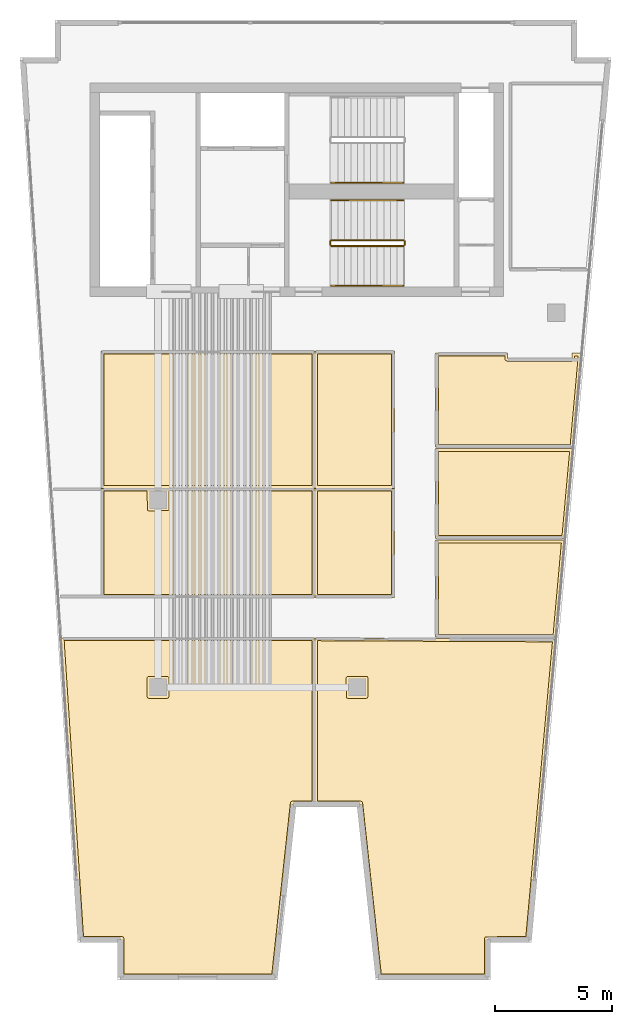
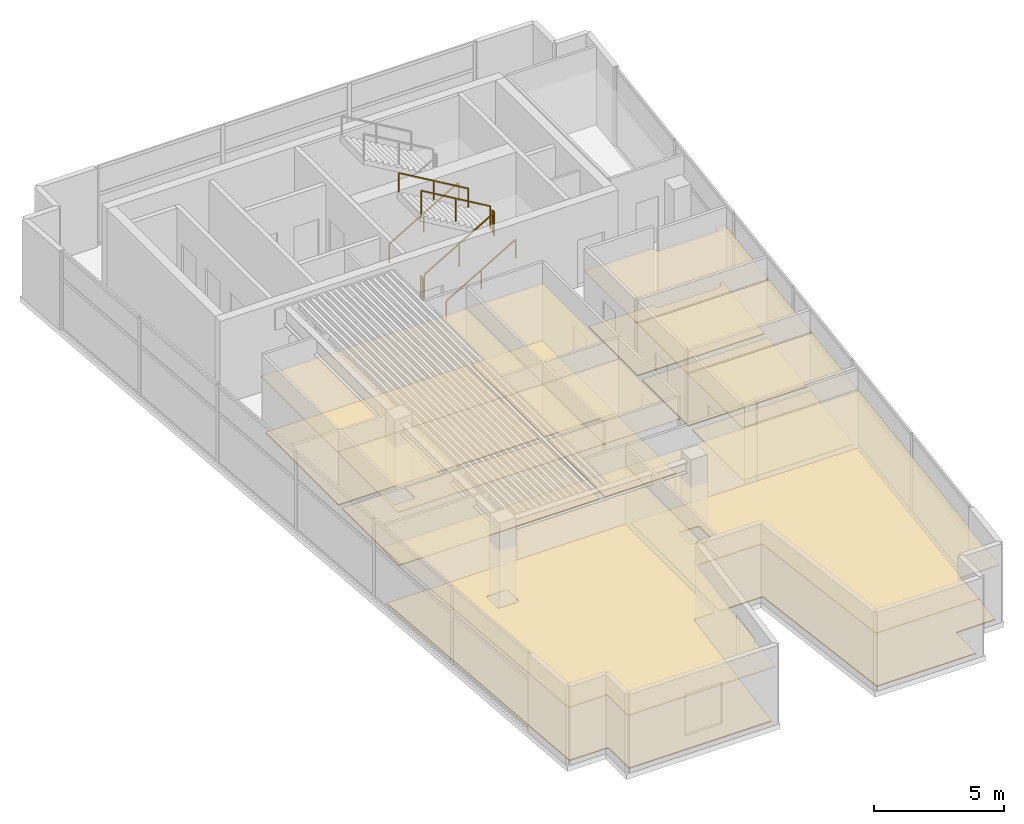
# One storey, part 6 of 7: 18 coverings, 7 railings.
"""IFC4 building model written with IfcOpenShell, lengths in metres."""

from ifc_helpers import new_model, si_unit, direction, frame, origin, origin_2d, place, context, subcontext, project, spatial, polyline, rectangle, outline, extrude, material, layer, layer_set, type_object, element, save


model = new_model("IFC4")

# Units and contexts
model_context = context("Model", 3, precision=1e-05, world=origin(), true_north=direction((0.0, 1.0)))
body_context = subcontext(model_context, "Body", "Model", "MODEL_VIEW")
ifc_project = project(units=[si_unit("LENGTHUNIT", "METRE"), si_unit("AREAUNIT", "SQUARE_METRE"), si_unit("VOLUMEUNIT", "CUBIC_METRE"), si_unit("PLANEANGLEUNIT", "RADIAN"), si_unit("MASSUNIT", "GRAM", prefix="KILO")], contexts=[model_context])

# Site, building, storey
site_placement = place(None, origin())
site = spatial("IfcSite", under=ifc_project, at=site_placement, CompositionType="ELEMENT")
building_placement = place(site_placement, origin())
building = spatial("IfcBuilding", under=site, at=building_placement, Name="Caeloran Harvest Quay", CompositionType="ELEMENT")
storey_placement = place(building_placement, frame((0.0, 0.0, 315.949951171875)))
storey = spatial("IfcBuildingStorey", under=building, at=storey_placement, Name="L76", CompositionType="ELEMENT", Elevation=315.949951171875)

# Coverings
ifc_material_1 = material(Name="Perforated Mineral-Fibre Acoustic Ceiling Tile", Category="ceiling")
ifc_layer_1 = layer(ifc_material_1, 0.0400390625, Name="Perforated Mineral-Fibre Acoustic Ceiling Tile")
ifc_layer_set_1 = layer_set([ifc_layer_1], Name="Perforated Mineral-Fibre Acoustic Ceiling Tile")
covering_type_1 = type_object("IfcCoveringType", Name="COV-CEILING-ACOUSTIC", PredefinedType="CEILING", material=ifc_layer_set_1)
covering_1_placement = place(storey_placement, frame((0.0, 0.0, 2.60009765625)))
element("IfcCovering", 1, at=covering_1_placement, inside=storey, type_object=covering_type_1, Name="L76 Male Washroom WC Acoustic Ceiling", PredefinedType="CEILING", context=body_context, shape_type="SweptSolid", body=[
    extrude(outline(polyline([(23.429931640625, 29.280029296875), (23.43017578125, 29.048095703125), (23.450927734375, 29.030029296875), (26.152099609375, 29.030029296875), (26.169921875, 29.048095703125), (26.169921875, 29.280029296875), (26.576904296875, 29.280029296875), (26.214599609375, 25.260009765625), (20.360107421875, 25.260009765625), (20.360107421875, 29.280029296875), (23.429931640625, 29.280029296875)])), origin(), (0.0, 0.0, 1.0), 0.0400390625),
])
covering_2_placement = place(storey_placement, frame((0.0, 0.0, 2.60009765625)))
element("IfcCovering", 2, at=covering_2_placement, inside=storey, type_object=covering_type_1, Name="L76 Female Washroom WC Acoustic Ceiling", PredefinedType="CEILING", context=body_context, shape_type="SweptSolid", body=[
    extrude(outline(polyline([(26.208251953125, 25.18994140625), (25.86279296875, 21.360107421875), (20.360107421875, 21.360107421875), (20.360107421875, 25.18994140625), (26.208251953125, 25.18994140625)])), origin(), (0.0, 0.0, 1.0), 0.0400390625),
])
covering_3_placement = place(storey_placement, frame((0.0, 0.0, 2.60009765625)))
element("IfcCovering", 3, at=covering_3_placement, inside=storey, type_object=covering_type_1, Name="L76 Accessible Unisex Washroom WC Acoustic Ceiling", PredefinedType="CEILING", context=body_context, shape_type="SweptSolid", body=[
    extrude(outline(polyline([(25.8564453125, 21.2900390625), (25.482177734375, 17.139892578125), (20.360107421875, 17.139892578125), (20.360107421875, 21.2900390625), (25.8564453125, 21.2900390625)])), origin(), (0.0, 0.0, 1.0), 0.0400390625),
])
covering_4_placement = place(storey_placement, frame((0.0, 0.0, 2.60009765625)))
element("IfcCovering", 4, at=covering_4_placement, inside=storey, type_object=covering_type_1, Name="Pinnacle Botanical Observatory Studio Acoustic Ceiling", PredefinedType="CEILING", context=body_context, shape_type="SweptSolid", body=[
    extrude(outline(polyline([(14.266845703125, 10.02001953125), (13.466796875, 2.639892578125), (6.91748046875, 2.639892578125), (6.91748046875, 4.239990234375), (5.2041015625, 4.239990234375), (4.36376953125, 17.110107421875), (15.199951171875, 17.110107421875), (15.199951171875, 10.02001953125), (14.266845703125, 10.02001953125)])), origin(), (0.0, 0.0, 1.0), 0.0400390625),
])
covering_5_placement = place(storey_placement, frame((0.0, 0.0, 2.60009765625)))
element("IfcCovering", 5, at=covering_5_placement, inside=storey, type_object=covering_type_1, Name="Diplomatic Conference Hall Acoustic Ceiling", PredefinedType="CEILING", context=body_context, shape_type="SweptSolid", body=[
    extrude(outline(polyline([(22.5625, 4.239990234375), (22.5625, 2.639892578125), (17.925537109375, 2.639892578125), (17.12548828125, 10.02001953125), (15.199951171875, 10.02001953125), (15.199951171875, 17.110107421875), (25.47509765625, 17.059814453125), (24.31884765625, 4.239990234375), (22.5625, 4.239990234375)])), origin(), (0.0, 0.0, 1.0), 0.0400390625),
])
covering_6_placement = place(storey_placement, frame((0.0, 0.0, 2.60009765625)))
element("IfcCovering", 6, at=covering_6_placement, inside=storey, type_object=covering_type_1, Name="Private Family Meeting Room Acoustic Ceiling", PredefinedType="CEILING", context=body_context, shape_type="SweptSolid", body=[
    extrude(outline(polyline([(6.070068359375, 18.840087890625), (6.070068359375, 23.5), (15.199951171875, 23.5), (15.199951171875, 18.840087890625), (6.070068359375, 18.840087890625)])), origin(), (0.0, 0.0, 1.0), 0.0400390625),
])
covering_7_placement = place(storey_placement, frame((0.0, 0.0, 2.60009765625)))
element("IfcCovering", 7, at=covering_7_placement, inside=storey, type_object=covering_type_1, Name="Pinnacle Tasting Salon Lounge Acoustic Ceiling", PredefinedType="CEILING", context=body_context, shape_type="SweptSolid", body=[
    extrude(outline(polyline([(18.590087890625, 23.5), (18.590087890625, 18.840087890625), (15.199951171875, 18.840087890625), (15.199951171875, 23.5), (18.590087890625, 23.5)])), origin(), (0.0, 0.0, 1.0), 0.0400390625),
])
covering_8_placement = place(storey_placement, frame((0.0, 0.0, 2.60009765625)))
element("IfcCovering", 8, at=covering_8_placement, inside=storey, type_object=covering_type_1, Name="Artisanal Tea Kitchen Acoustic Ceiling", PredefinedType="CEILING", context=body_context, shape_type="SweptSolid", body=[
    extrude(outline(polyline([(6.070068359375, 29.360107421875), (15.199951171875, 29.360107421875), (15.199951171875, 23.5), (6.070068359375, 23.5), (6.070068359375, 29.360107421875)])), origin(), (0.0, 0.0, 1.0), 0.0400390625),
])
covering_9_placement = place(storey_placement, frame((0.0, 0.0, 2.60009765625)))
element("IfcCovering", 9, at=covering_9_placement, inside=storey, type_object=covering_type_1, Name="Curator Archive Laboratory Acoustic Ceiling", PredefinedType="CEILING", context=body_context, shape_type="SweptSolid", body=[
    extrude(outline(polyline([(15.199951171875, 29.360107421875), (18.590087890625, 29.360107421875), (18.590087890625, 23.5), (15.199951171875, 23.5), (15.199951171875, 29.360107421875)])), origin(), (0.0, 0.0, 1.0), 0.0400390625),
])
ifc_material_2 = material(Name="Calcium-Sulphate Raised Access Floor and Terrazzo Finish", Category="flooring")
ifc_layer_2 = layer(ifc_material_2, 0.050048828125, Name="Calcium-Sulphate Raised Access Floor and Terrazzo Finish")
ifc_layer_set_2 = layer_set([ifc_layer_2], Name="Calcium-Sulphate Raised Access Floor and Terrazzo Finish")
covering_type_2 = type_object("IfcCoveringType", Name="COV-FLOOR-RAISED", PredefinedType="FLOORING", material=ifc_layer_set_2)
covering_10_placement = place(storey_placement, origin())
element("IfcCovering", 10, at=covering_10_placement, inside=storey, type_object=covering_type_2, Name="L76 Male Washroom WC Raised Finish Flooring", PredefinedType="FLOORING", context=body_context, shape_type="SweptSolid", body=[
    extrude(outline(polyline([(23.31005859375, 29.159912109375), (23.32861328125, 28.980712890625), (23.449951171875, 28.909912109375), (26.159912109375, 28.910400390625), (26.275146484375, 28.987548828125), (26.2900390625, 29.159912109375), (26.44580078125, 29.159912109375), (26.104736328125, 25.3798828125), (20.47998046875, 25.3798828125), (20.47998046875, 29.159912109375), (23.31005859375, 29.159912109375)])), origin(), (0.0, 0.0, 1.0), 0.050048828125),
])
covering_11_placement = place(storey_placement, origin())
element("IfcCovering", 11, at=covering_11_placement, inside=storey, type_object=covering_type_2, Name="L76 Female Washroom WC Raised Finish Flooring", PredefinedType="FLOORING", context=body_context, shape_type="SweptSolid", body=[
    extrude(outline(polyline([(26.076904296875, 25.070068359375), (25.753173828125, 21.47998046875), (20.47998046875, 21.47998046875), (20.47998046875, 25.070068359375), (26.076904296875, 25.070068359375)])), origin(), (0.0, 0.0, 1.0), 0.050048828125),
])
covering_12_placement = place(storey_placement, origin())
element("IfcCovering", 12, at=covering_12_placement, inside=storey, type_object=covering_type_2, Name="L76 Accessible Unisex Washroom WC Raised Finish Flooring", PredefinedType="FLOORING", context=body_context, shape_type="SweptSolid", body=[
    extrude(outline(polyline([(25.72509765625, 21.169921875), (25.37255859375, 17.260009765625), (20.47998046875, 17.260009765625), (20.47998046875, 21.169921875), (25.72509765625, 21.169921875)])), origin(), (0.0, 0.0, 1.0), 0.050048828125),
])
covering_13_placement = place(storey_placement, origin())
element("IfcCovering", 13, at=covering_13_placement, inside=storey, type_object=covering_type_2, Name="Pinnacle Botanical Observatory Studio Raised Finish Flooring", PredefinedType="FLOORING", context=body_context, shape_type="SweptSolid", body=[
    extrude(outline(polyline([(14.23095703125, 10.139892578125), (14.1748046875, 10.116943359375), (14.1513671875, 10.068603515625), (13.359130859375, 2.760009765625), (7.03759765625, 2.760009765625), (7.03759765625, 4.280029296875), (7.01416015625, 4.336669921875), (6.95751953125, 4.360107421875), (5.316650390625, 4.360107421875), (4.49169921875, 16.989990234375), (15.080078125, 16.989990234375), (15.080078125, 10.139892578125), (14.23095703125, 10.139892578125)]), holes=[polyline([(8.030029296875, 14.610107421875), (8.053466796875, 14.553466796875), (8.102294921875, 14.530517578125), (8.889892578125, 14.530029296875), (8.946533203125, 14.553466796875), (8.969970703125, 14.610107421875), (8.969970703125, 15.389892578125), (8.946533203125, 15.446533203125), (8.889892578125, 15.469970703125), (8.110107421875, 15.469970703125), (8.053466796875, 15.446533203125), (8.030029296875, 15.389892578125), (8.030029296875, 14.610107421875)])]), origin(), (0.0, 0.0, 1.0), 0.050048828125),
])
covering_14_placement = place(storey_placement, origin())
element("IfcCovering", 14, at=covering_14_placement, inside=storey, type_object=covering_type_2, Name="Diplomatic Conference Hall Raised Finish Flooring", PredefinedType="FLOORING", context=body_context, shape_type="SweptSolid", body=[
    extrude(outline(polyline([(24.209228515625, 4.360107421875), (22.4716796875, 4.341796875), (22.4423828125, 4.280029296875), (22.4423828125, 2.760009765625), (18.033203125, 2.760009765625), (17.235107421875, 10.09130859375), (17.16162109375, 10.139892578125), (15.320068359375, 10.139892578125), (15.320068359375, 16.989501953125), (25.34375, 16.9404296875), (24.209228515625, 4.360107421875)]), holes=[polyline([(16.530029296875, 15.389892578125), (16.548095703125, 14.55908203125), (16.602294921875, 14.530517578125), (17.389892578125, 14.530029296875), (17.446533203125, 14.553466796875), (17.469970703125, 14.610107421875), (17.469970703125, 15.389892578125), (17.446533203125, 15.446533203125), (17.389892578125, 15.469970703125), (16.610107421875, 15.469970703125), (16.553466796875, 15.446533203125), (16.530029296875, 15.389892578125)])]), origin(), (0.0, 0.0, 1.0), 0.050048828125),
])
covering_15_placement = place(storey_placement, origin())
element("IfcCovering", 15, at=covering_15_placement, inside=storey, type_object=covering_type_2, Name="Private Family Meeting Room Raised Finish Flooring", PredefinedType="FLOORING", context=body_context, shape_type="SweptSolid", body=[
    extrude(outline(polyline([(8.030029296875, 23.3798828125), (8.048095703125, 22.55908203125), (8.102294921875, 22.530517578125), (8.94091796875, 22.548095703125), (8.969970703125, 22.610107421875), (8.969970703125, 23.3798828125), (15.080078125, 23.3798828125), (15.080078125, 18.9599609375), (6.18994140625, 18.9599609375), (6.18994140625, 23.3798828125), (8.030029296875, 23.3798828125)])), origin(), (0.0, 0.0, 1.0), 0.050048828125),
])
covering_16_placement = place(storey_placement, origin())
element("IfcCovering", 16, at=covering_16_placement, inside=storey, type_object=covering_type_2, Name="Pinnacle Tasting Salon Lounge Raised Finish Flooring", PredefinedType="FLOORING", context=body_context, shape_type="SweptSolid", body=[
    extrude(outline(polyline([(18.469970703125, 23.3798828125), (18.469970703125, 18.9599609375), (15.320068359375, 18.9599609375), (15.320068359375, 23.3798828125), (18.469970703125, 23.3798828125)])), origin(), (0.0, 0.0, 1.0), 0.050048828125),
])
covering_17_placement = place(storey_placement, origin())
element("IfcCovering", 17, at=covering_17_placement, inside=storey, type_object=covering_type_2, Name="Artisanal Tea Kitchen Raised Finish Flooring", PredefinedType="FLOORING", context=body_context, shape_type="SweptSolid", body=[
    extrude(outline(polyline([(6.18994140625, 29.239990234375), (15.080078125, 29.239990234375), (15.080078125, 23.6201171875), (6.18994140625, 23.6201171875), (6.18994140625, 29.239990234375)])), origin(), (0.0, 0.0, 1.0), 0.050048828125),
])
covering_18_placement = place(storey_placement, origin())
element("IfcCovering", 18, at=covering_18_placement, inside=storey, type_object=covering_type_2, Name="Curator Archive Laboratory Raised Finish Flooring", PredefinedType="FLOORING", context=body_context, shape_type="SweptSolid", body=[
    extrude(outline(polyline([(15.320068359375, 29.239990234375), (18.469970703125, 29.239990234375), (18.469970703125, 23.6201171875), (15.320068359375, 23.6201171875), (15.320068359375, 29.239990234375)])), origin(), (0.0, 0.0, 1.0), 0.050048828125),
])

# Railings
ifc_material_3 = material(Name="Painted Steel Baluster and Top-Rail Stair Guard", Category="steel")
ifc_layer_3 = layer(ifc_material_3, 0.050048828125, Name="Painted Steel Baluster and Top-Rail Stair Guard")
ifc_layer_set_3 = layer_set([ifc_layer_3], Name="Painted Steel Baluster and Top-Rail Stair Guard")
railing_type_1 = type_object("IfcRailingType", Name="STAIR-GUARD-1100", PredefinedType="GUARDRAIL", material=ifc_layer_set_3)
railing_1_placement = place(storey_placement, frame((15.89990234375, 33.85009765625, 0.16455078125)))
element("IfcRailing", 19, at=railing_1_placement, inside=storey, type_object=railing_type_1, Name="L76 ST-C2 stair guard 1", PredefinedType="GUARDRAIL", context=body_context, shape_type="SweptSolid", body=[
    extrude(rectangle(XDim=0.048095703125, YDim=0.048095703125, at=origin_2d()), frame((0.0, 0.0, 1.076171875), z_axis=(0.862088758681, 0.0, 0.506757310905), x_axis=(0.0, 1.0, 0.0)), (0.0, 0.0, 1.0), 3.57275390625),
    extrude(rectangle(XDim=0.0419921875, YDim=0.0419921875, at=origin_2d()), origin(), (0.0, 0.0, 1.0), 1.052001953125),
    extrude(rectangle(XDim=0.0419921875, YDim=0.0419921875, at=origin_2d()), frame((1.5400390625, 0.0, 0.9052734375)), (0.0, 0.0, 1.0), 1.052001953125),
    extrude(rectangle(XDim=0.0419921875, YDim=0.0419921875, at=origin_2d()), frame((3.080078125, 0.0, 1.810546875)), (0.0, 0.0, 1.0), 1.052001953125),
])
railing_2_placement = place(storey_placement, frame((19.030029296875, 33.89990234375, 1.97509765625)))
element("IfcRailing", 20, at=railing_2_placement, inside=storey, type_object=railing_type_1, Name="L76 ST-C2 stair guard 2", PredefinedType="GUARDRAIL", context=body_context, shape_type="SweptSolid", body=[
    extrude(rectangle(XDim=0.048095703125, YDim=0.048095703125, at=origin_2d()), frame((0.0, 0.0, 1.076171875), z_axis=(0.0, 1.0, 0.0), x_axis=(-1.0, 0.0, 0.0)), (0.0, 0.0, 1.0), 0.150146484375),
    extrude(rectangle(XDim=0.0419921875, YDim=0.0419921875, at=origin_2d()), origin(), (0.0, 0.0, 1.0), 1.052001953125),
    extrude(rectangle(XDim=0.0419921875, YDim=0.0419921875, at=origin_2d()), frame((0.0, 0.150146484375, 0.0)), (0.0, 0.0, 1.0), 1.052001953125),
])
railing_3_placement = place(storey_placement, frame((18.97998046875, 34.10009765625, 2.1396484375)))
element("IfcRailing", 21, at=railing_3_placement, inside=storey, type_object=railing_type_1, Name="L76 ST-C2 stair guard 3", PredefinedType="GUARDRAIL", context=body_context, shape_type="SweptSolid", body=[
    extrude(rectangle(XDim=0.048095703125, YDim=0.048095703125, at=origin_2d()), frame((0.0, 0.0, 1.076171875), z_axis=(-0.862118610829, 0.0, 0.506706523406), x_axis=(0.0, -1.0, 0.0)), (0.0, 0.0, 1.0), 3.57275390625),
    extrude(rectangle(XDim=0.0419921875, YDim=0.0419921875, at=origin_2d()), origin(), (0.0, 0.0, 1.0), 1.052001953125),
    extrude(rectangle(XDim=0.0419921875, YDim=0.0419921875, at=origin_2d()), frame((-1.5400390625, 0.0, 0.9052734375)), (0.0, 0.0, 1.0), 1.052001953125),
    extrude(rectangle(XDim=0.0419921875, YDim=0.0419921875, at=origin_2d()), frame((-3.080078125, 0.0, 1.810302734375)), (0.0, 0.0, 1.0), 1.052001953125),
])
railing_4_placement = place(storey_placement, frame((15.85009765625, 33.89990234375, 0.0)))
element("IfcRailing", 22, at=railing_4_placement, inside=storey, type_object=railing_type_1, Name="L76 ST-C2 stair guard 4", PredefinedType="GUARDRAIL", context=body_context, shape_type="SweptSolid", body=[
    extrude(rectangle(XDim=0.048095703125, YDim=0.048095703125, at=origin_2d()), frame((0.0, 0.0, 1.076171875), z_axis=(0.0, 1.0, 0.0), x_axis=(-1.0, 0.0, 0.0)), (0.0, 0.0, 1.0), 0.150146484375),
    extrude(rectangle(XDim=0.0419921875, YDim=0.0419921875, at=origin_2d()), origin(), (0.0, 0.0, 1.0), 1.052001953125),
    extrude(rectangle(XDim=0.0419921875, YDim=0.0419921875, at=origin_2d()), frame((0.0, 0.150146484375, 0.0)), (0.0, 0.0, 1.0), 1.052001953125),
])
ifc_material_4 = material(Name="Brushed Stainless Steel Grade 304", Category="steel")
ifc_layer_4 = layer(ifc_material_4, 0.050048828125, Name="Brushed Stainless Steel Grade 304")
ifc_layer_set_4 = layer_set([ifc_layer_4], Name="Brushed Stainless Steel Grade 304")
railing_type_2 = type_object("IfcRailingType", Name="STAIR-HANDRAIL-900", PredefinedType="HANDRAIL", material=ifc_layer_set_4)
for number, where, name in (
    (23, (15.89990234375, 36.550048828125, 0.16455078125), "L76 ST-C1 stair handrail 1"),
    (24, (15.89990234375, 32.14990234375, 0.16455078125), "L76 ST-C2 stair handrail 1"),
):
    element("IfcRailing", number, at=place(storey_placement, frame(where)), inside=storey, type_object=railing_type_2, Name=name, PredefinedType="HANDRAIL", context=body_context, shape_type="SweptSolid", body=[
        extrude(rectangle(XDim=0.048095703125, YDim=0.048095703125, at=origin_2d()), frame((0.0, 0.0, 0.8759765625), z_axis=(0.862088758681, 0.0, 0.506757310905), x_axis=(0.0, 1.0, 0.0)), (0.0, 0.0, 1.0), 3.57275390625),
        extrude(rectangle(XDim=0.0419921875, YDim=0.0419921875, at=origin_2d()), origin(), (0.0, 0.0, 1.0), 0.851806640625),
        extrude(rectangle(XDim=0.0419921875, YDim=0.0419921875, at=origin_2d()), frame((1.5400390625, 0.0, 0.9052734375)), (0.0, 0.0, 1.0), 0.851806640625),
        extrude(rectangle(XDim=0.0419921875, YDim=0.0419921875, at=origin_2d()), frame((3.080078125, 0.0, 1.810546875)), (0.0, 0.0, 1.0), 0.851806640625),
    ])
railing_5_placement = place(storey_placement, frame((18.97998046875, 35.800048828125, 2.1396484375)))
element("IfcRailing", 25, at=railing_5_placement, inside=storey, type_object=railing_type_2, Name="L76 ST-C2 stair handrail 2", PredefinedType="HANDRAIL", context=body_context, shape_type="SweptSolid", body=[
    extrude(rectangle(XDim=0.048095703125, YDim=0.048095703125, at=origin_2d()), frame((0.0, 0.0, 0.8759765625), z_axis=(-0.862118610829, 0.0, 0.506706523406), x_axis=(0.0, -1.0, 0.0)), (0.0, 0.0, 1.0), 3.57275390625),
    extrude(rectangle(XDim=0.0419921875, YDim=0.0419921875, at=origin_2d()), origin(), (0.0, 0.0, 1.0), 0.851806640625),
    extrude(rectangle(XDim=0.0419921875, YDim=0.0419921875, at=origin_2d()), frame((-1.5400390625, 0.0, 0.9052734375)), (0.0, 0.0, 1.0), 0.851806640625),
    extrude(rectangle(XDim=0.0419921875, YDim=0.0419921875, at=origin_2d()), frame((-3.080078125, 0.0, 1.810302734375)), (0.0, 0.0, 1.0), 0.851806640625),
])

save(model, "model.ifc")
